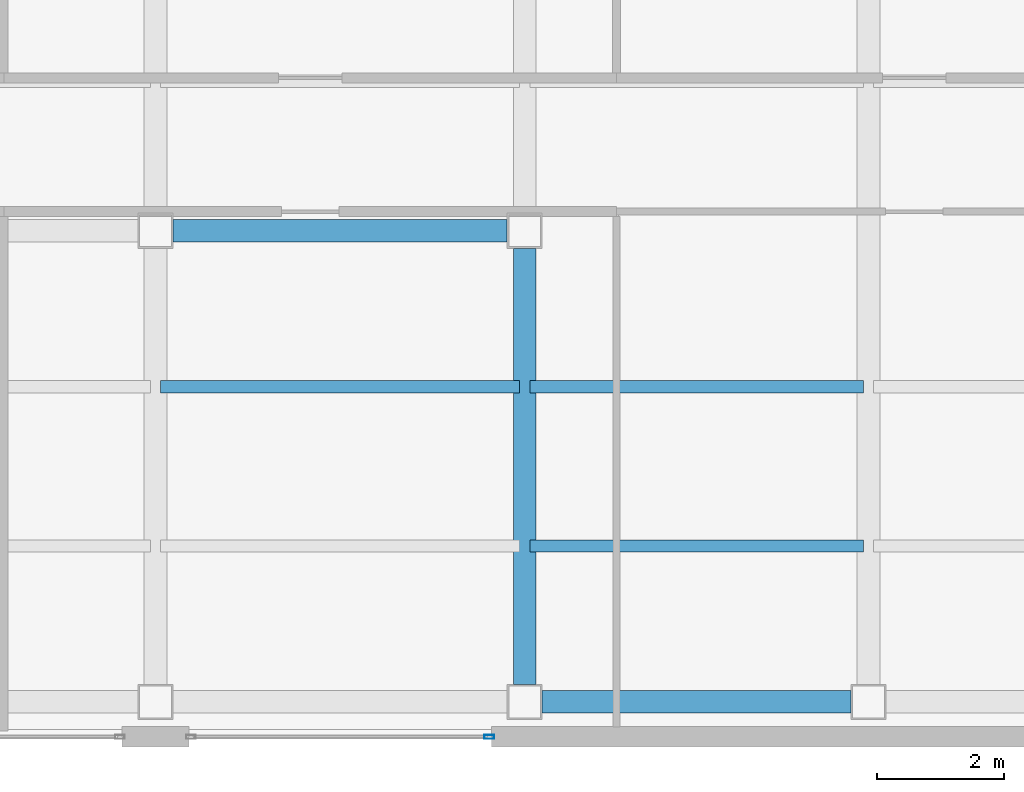
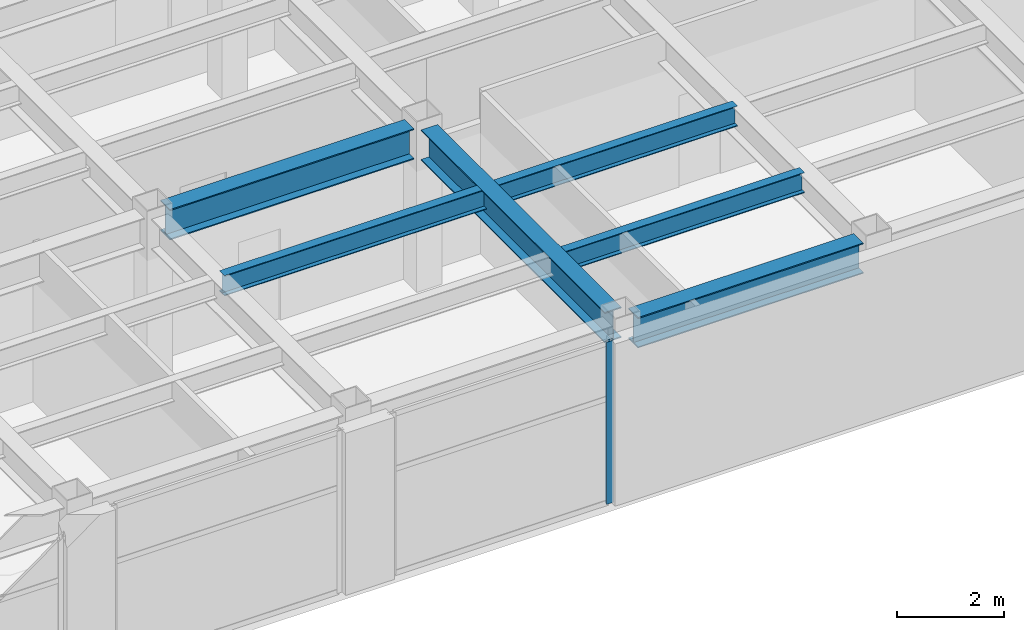
# One storey, part 7 of 17: 6 beams, 1 member, 1 element without a shape of its own.
"""IFC4 building model written with IfcOpenShell, lengths in metres."""

from ifc_helpers import new_model, si_unit, direction, frame, origin, origin_2d, place, context, subcontext, project, spatial, hollow_rectangle, i_section, extrude, material, layer, layer_set, material_profile, profile_set, type_object, element, aggregate, save


model = new_model("IFC4")

# Units and contexts
model_context = context("Model", 3, precision=1e-05, world=origin(), true_north=direction((0.0, 1.0)))
body_context = subcontext(model_context, "Body", "Model", "MODEL_VIEW")
ifc_project = project(units=[si_unit("LENGTHUNIT", "METRE"), si_unit("AREAUNIT", "SQUARE_METRE"), si_unit("VOLUMEUNIT", "CUBIC_METRE"), si_unit("PLANEANGLEUNIT", "RADIAN"), si_unit("MASSUNIT", "GRAM", prefix="KILO")], contexts=[model_context])

# Site, building, storey
site_placement = place(None, origin())
site = spatial("IfcSite", under=ifc_project, at=site_placement, CompositionType="ELEMENT")
building_placement = place(site_placement, origin())
building = spatial("IfcBuilding", under=site, at=building_placement, Name="Mawjaban Terraces University", CompositionType="ELEMENT")
storey_placement = place(building_placement, frame((0.0, 0.0, 85.60009765625)))
storey = spatial("IfcBuildingStorey", under=building, at=storey_placement, Name="L20", CompositionType="ELEMENT", Elevation=85.60009765625)

# Beams
ifc_material_1 = material(Name="Steel ASTM A572 Grade 50", Category="steel")
ifc_material_profile_1 = material_profile(ifc_material_1, i_section(OverallWidth=0.35498046875, OverallDepth=0.695068359375, WebThickness=0.015380859375, FlangeThickness=0.02490234375, at=origin_2d()), Name="W690X217")
ifc_profile_set_1 = profile_set([ifc_material_profile_1], Name="Steel ASTM A572 Grade 50")
beam_type_1 = type_object("IfcBeamType", Name="Beam_B_W690X217", PredefinedType="BEAM", material=ifc_profile_set_1)
beam_1_placement = place(storey_placement, frame((58.074951171875, 0.550048828125, 3.343017578125), z_axis=(1.0, 0.0, 0.0), x_axis=(0.0, 1.0, 0.0)))
element("IfcBeam", 1, at=beam_1_placement, inside=storey, type_object=beam_type_1, Name="L20 Beam BM-L20-EW-04", PredefinedType="BEAM", context=body_context, shape_type="SweptSolid", body=[
    extrude(i_section(OverallWidth=0.35498046875, OverallDepth=0.695068359375, WebThickness=0.015380859375, FlangeThickness=0.02490234375, at=origin_2d()), origin(), (0.0, 0.0, 1.0), 4.85009765625),
])
beam_2_placement = place(storey_placement, frame((52.27490234375, 7.949951171875, 3.343017578125), z_axis=(1.0, 0.0, 0.0), x_axis=(0.0, 1.0, 0.0)))
element("IfcBeam", 2, at=beam_2_placement, inside=storey, type_object=beam_type_1, Name="L20 Beam BM-L20-EW-08", PredefinedType="BEAM", context=body_context, shape_type="SweptSolid", body=[
    extrude(i_section(OverallWidth=0.35498046875, OverallDepth=0.695068359375, WebThickness=0.015380859375, FlangeThickness=0.02490234375, at=origin_2d()), origin(), (0.0, 0.0, 1.0), 5.25),
])
beam_3_placement = place(storey_placement, frame((57.800048828125, 0.824951171875, 3.343017578125), z_axis=(0.0, 1.0, 0.0), x_axis=(-1.0, 0.0, 0.0)))
element("IfcBeam", 3, at=beam_3_placement, inside=storey, type_object=beam_type_1, Name="L20 Beam BM-L20-NS-18", PredefinedType="BEAM", context=body_context, shape_type="SweptSolid", body=[
    extrude(i_section(OverallWidth=0.35498046875, OverallDepth=0.695068359375, WebThickness=0.015380859375, FlangeThickness=0.02490234375, at=origin_2d()), origin(), (0.0, 0.0, 1.0), 6.85009765625),
])
ifc_material_profile_2 = material_profile(ifc_material_1, i_section(OverallWidth=0.19189453125, OverallDepth=0.462890625, WebThickness=0.010498046875, FlangeThickness=0.017578125, at=origin_2d()), Name="W460X89")
ifc_profile_set_2 = profile_set([ifc_material_profile_2], Name="Steel ASTM A572 Grade 50")
beam_type_2 = type_object("IfcBeamType", Name="Beam_J_W460X89", PredefinedType="JOIST", material=ifc_profile_set_2)
beam_4_placement = place(storey_placement, frame((57.8798828125, 3.0, 3.458984375), z_axis=(1.0, 0.0, 0.0), x_axis=(0.0, 1.0, 0.0)))
element("IfcBeam", 4, at=beam_4_placement, inside=storey, type_object=beam_type_2, Name="L20 Composite Joist JST-L20-04", PredefinedType="JOIST", context=body_context, shape_type="SweptSolid", body=[
    extrude(i_section(OverallWidth=0.19189453125, OverallDepth=0.462890625, WebThickness=0.010498046875, FlangeThickness=0.017578125, at=origin_2d()), origin(), (0.0, 0.0, 1.0), 5.240234375),
])
beam_5_placement = place(storey_placement, frame((52.080078125, 5.5, 3.458984375), z_axis=(1.0, 0.0, 0.0), x_axis=(0.0, 1.0, 0.0)))
element("IfcBeam", 5, at=beam_5_placement, inside=storey, type_object=beam_type_2, Name="L20 Composite Joist JST-L20-08", PredefinedType="JOIST", context=body_context, shape_type="SweptSolid", body=[
    extrude(i_section(OverallWidth=0.19189453125, OverallDepth=0.462890625, WebThickness=0.010498046875, FlangeThickness=0.017578125, at=origin_2d()), origin(), (0.0, 0.0, 1.0), 5.639892578125),
])
beam_6_placement = place(storey_placement, frame((57.8798828125, 5.5, 3.458984375), z_axis=(1.0, 0.0, 0.0), x_axis=(0.0, 1.0, 0.0)))
element("IfcBeam", 6, at=beam_6_placement, inside=storey, type_object=beam_type_2, Name="L20 Composite Joist JST-L20-09", PredefinedType="JOIST", context=body_context, shape_type="SweptSolid", body=[
    extrude(i_section(OverallWidth=0.19189453125, OverallDepth=0.462890625, WebThickness=0.010498046875, FlangeThickness=0.017578125, at=origin_2d()), origin(), (0.0, 0.0, 1.0), 5.240234375),
])

# Curtain wall, member
ifc_material_2 = material(Name="Anodised aluminium 6063-T6 and solar-control low-E glass", Category="aluminium")
ifc_layer = layer(ifc_material_2, 0.1650390625)
ifc_layer_set = layer_set([ifc_layer], Name="Anodised aluminium 6063-T6 and solar-control low-E glass")
curtain_wall_type = type_object("IfcCurtainWallType", Name="CWSystem_04_EastWing", PredefinedType="NOTDEFINED", material=ifc_layer_set)
curtain_wall_placement = place(storey_placement, origin())
curtain_wall = element("IfcCurtainWall", 7, at=curtain_wall_placement, inside=storey, type_object=curtain_wall_type, Name="L20 Curtain Wall CW-04 Run 1.4", PredefinedType="NOTDEFINED")
ifc_material_3 = material(Name="Anodised aluminium 6063-T6", Category="aluminium")
ifc_material_profile_3 = material_profile(ifc_material_3, hollow_rectangle(XDim=0.06005859375, YDim=0.14990234375, WallThickness=0.00390625, at=origin_2d()), Name="ALU150X60X4")
ifc_profile_set_3 = profile_set([ifc_material_profile_3], Name="Anodised aluminium 6063-T6")
member_type = type_object("IfcMemberType", Name="Mullion_CW-04", PredefinedType="MULLION", material=ifc_profile_set_3)
member_placement = place(storey_placement, frame((57.242431640625, 0.0, 0.0), z_axis=(0.0, 0.0, 1.0), x_axis=(0.0, 1.0, 0.0)))
member = element("IfcMember", 8, at=member_placement, type_object=member_type, Name="CW-04 mullion 2", PredefinedType="MULLION", context=body_context, shape_type="SweptSolid", body=[
    extrude(hollow_rectangle(XDim=0.06005859375, YDim=0.14990234375, WallThickness=0.00390625, at=origin_2d()), origin(), (0.0, 0.0, 1.0), 3.68994140625),
])
aggregate(curtain_wall, [member])

save(model, "model.ifc")
